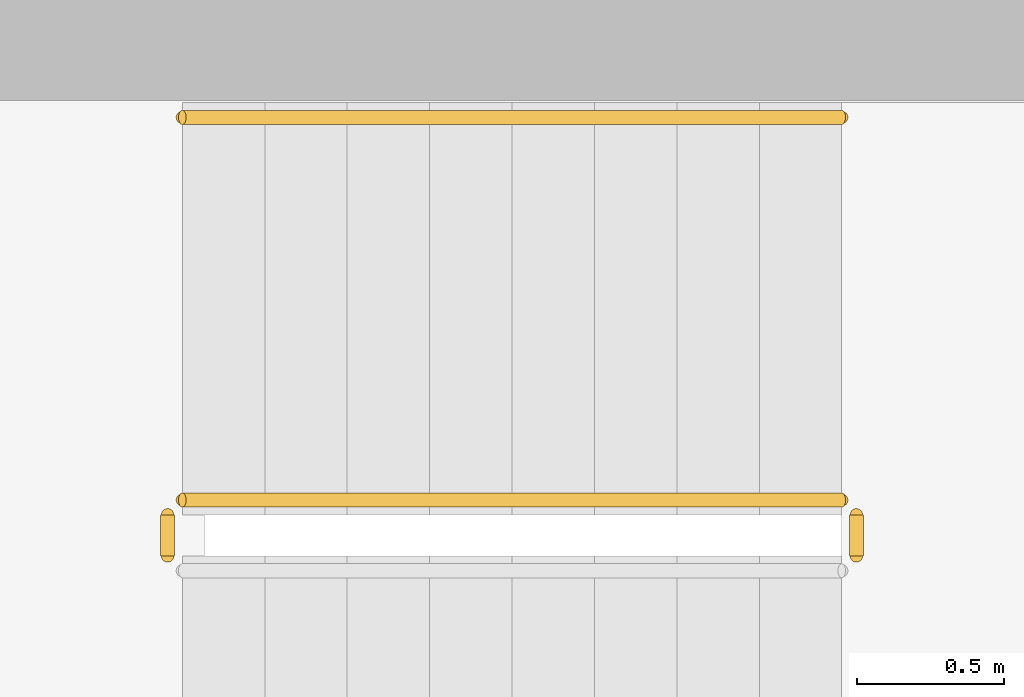
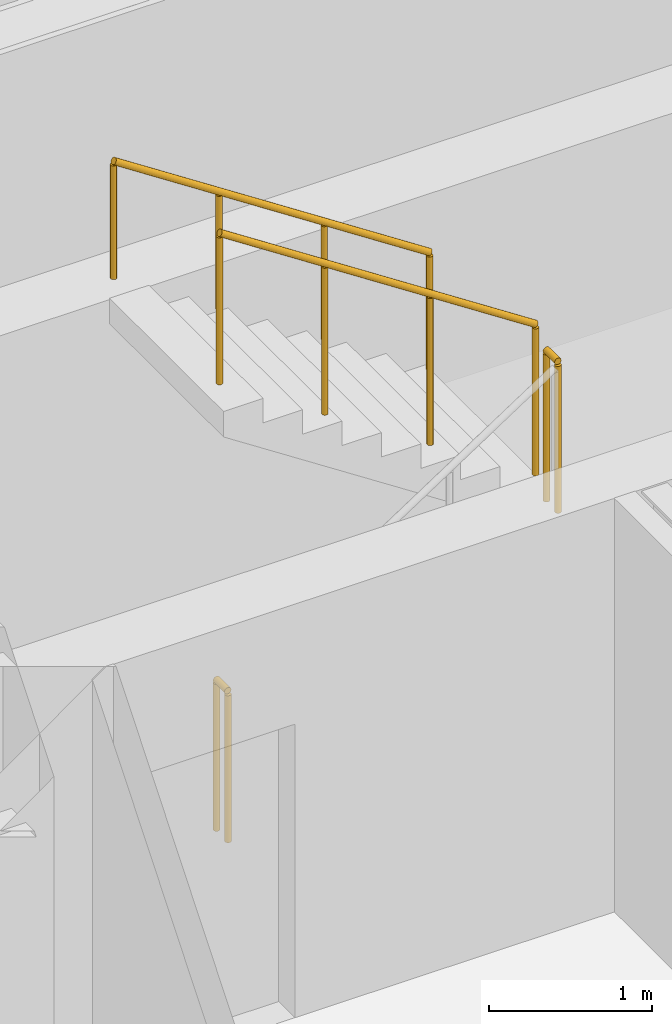
# One storey, part 14 of 15: 4 railings.
"""IFC4 building model written with IfcOpenShell, lengths in metres."""

from ifc_helpers import new_model, si_unit, direction, frame, origin, origin_2d, place, context, subcontext, project, spatial, circle, extrude, material, type_object, element, save


model = new_model("IFC4")

# Units and contexts
model_context = context("Model", 3, precision=1e-05, world=origin(), true_north=direction((0.0, 1.0)))
body_context = subcontext(model_context, "Body", "Model", "MODEL_VIEW")
ifc_project = project(units=[si_unit("LENGTHUNIT", "METRE"), si_unit("AREAUNIT", "SQUARE_METRE"), si_unit("VOLUMEUNIT", "CUBIC_METRE"), si_unit("PLANEANGLEUNIT", "RADIAN"), si_unit("MASSUNIT", "GRAM", prefix="KILO")], contexts=[model_context])

# Site, building, storey
site_placement = place(None, origin())
site = spatial("IfcSite", under=ifc_project, at=site_placement, CompositionType="ELEMENT")
building_placement = place(site_placement, origin())
building = spatial("IfcBuilding", under=site, at=building_placement, Name="Mirazonda Arch Towers", CompositionType="ELEMENT")
storey_placement = place(building_placement, frame((0.0, 0.0, 229.300048828125)))
storey = spatial("IfcBuildingStorey", under=building, at=storey_placement, Name="L65", CompositionType="ELEMENT", Elevation=229.300048828125)

# Railings
ifc_material = material(Name="Architectural Brushed Steel S355", Category="steel")
railing_type_1 = type_object("IfcRailingType", Name="GUARD-STAIR-1120", PredefinedType="GUARDRAIL", material=ifc_material)
railing_1_placement = place(storey_placement, frame((16.139892578125, 39.219970703125, 1.64990234375)))
element("IfcRailing", 1, at=railing_1_placement, inside=storey, type_object=railing_type_1, Name="L65 ST-T1N stair guard 2", PredefinedType="GUARDRAIL", context=body_context, shape_type="SweptSolid", body=[
    extrude(circle(Radius=0.02392578125, at=origin_2d()), frame((0.0, 0.0, 1.1259765625), z_axis=(0.0, 1.0, 0.0), x_axis=(-1.0, 0.0, 0.0)), (0.0, 0.0, 1.0), 0.14013671875),
    extrude(circle(Radius=0.02099609375, at=origin_2d()), origin(), (0.0, 0.0, 1.0), 1.101806640625),
    extrude(circle(Radius=0.02099609375, at=origin_2d()), frame((0.0, 0.14013671875, 0.0)), (0.0, 0.0, 1.0), 1.101806640625),
])
railing_2_placement = place(storey_placement, frame((16.090087890625, 39.409912109375, 1.833251953125)))
element("IfcRailing", 2, at=railing_2_placement, inside=storey, type_object=railing_type_1, Name="L65 ST-T1N stair guard 3", PredefinedType="GUARDRAIL", context=body_context, shape_type="SweptSolid", body=[
    extrude(circle(Radius=0.02392578125, at=origin_2d()), frame((0.0, 0.0, 1.1259765625), z_axis=(-0.836595146698, 0.0, 0.547821650285), x_axis=(0.0, -1.0, 0.0)), (0.0, 0.0, 1.0), 2.677490234375),
    extrude(circle(Radius=0.02099609375, at=origin_2d()), origin(), (0.0, 0.0, 1.0), 1.101806640625),
    extrude(circle(Radius=0.02099609375, at=origin_2d()), frame((-0.74658203125, 0.0, 0.489013671875)), (0.0, 0.0, 1.0), 1.101806640625),
    extrude(circle(Radius=0.02099609375, at=origin_2d()), frame((-1.493408203125, 0.0, 0.977783203125)), (0.0, 0.0, 1.0), 1.101806640625),
    extrude(circle(Radius=0.02099609375, at=origin_2d()), frame((-2.239990234375, 0.0, 1.466796875)), (0.0, 0.0, 1.0), 1.101806640625),
])
railing_3_placement = place(storey_placement, frame((13.800048828125, 39.219970703125, 0.0)))
element("IfcRailing", 3, at=railing_3_placement, inside=storey, type_object=railing_type_1, Name="L65 ST-T1N stair guard 4", PredefinedType="GUARDRAIL", context=body_context, shape_type="SweptSolid", body=[
    extrude(circle(Radius=0.02392578125, at=origin_2d()), frame((0.0, 0.0, 1.1259765625), z_axis=(0.0, 1.0, 0.0), x_axis=(-1.0, 0.0, 0.0)), (0.0, 0.0, 1.0), 0.14013671875),
    extrude(circle(Radius=0.02099609375, at=origin_2d()), origin(), (0.0, 0.0, 1.0), 1.101806640625),
    extrude(circle(Radius=0.02099609375, at=origin_2d()), frame((0.0, 0.14013671875, 0.0)), (0.0, 0.0, 1.0), 1.101806640625),
])
railing_type_2 = type_object("IfcRailingType", Name="HANDRAIL-915", PredefinedType="HANDRAIL", material=ifc_material)
railing_4_placement = place(storey_placement, frame((16.090087890625, 40.7099609375, 1.833251953125)))
element("IfcRailing", 4, at=railing_4_placement, inside=storey, type_object=railing_type_2, Name="L65 ST-T1N stair handrail 2", PredefinedType="HANDRAIL", context=body_context, shape_type="SweptSolid", body=[
    extrude(circle(Radius=0.02392578125, at=origin_2d()), frame((0.0, 0.0, 0.8759765625), z_axis=(-0.836595146698, 0.0, 0.547821650285), x_axis=(0.0, -1.0, 0.0)), (0.0, 0.0, 1.0), 2.677490234375),
    extrude(circle(Radius=0.02099609375, at=origin_2d()), origin(), (0.0, 0.0, 1.0), 0.851806640625),
    extrude(circle(Radius=0.02099609375, at=origin_2d()), frame((-0.74658203125, 0.0, 0.489013671875)), (0.0, 0.0, 1.0), 0.851806640625),
    extrude(circle(Radius=0.02099609375, at=origin_2d()), frame((-1.493408203125, 0.0, 0.977783203125)), (0.0, 0.0, 1.0), 0.851806640625),
    extrude(circle(Radius=0.02099609375, at=origin_2d()), frame((-2.239990234375, 0.0, 1.466796875)), (0.0, 0.0, 1.0), 0.851806640625),
])

save(model, "model.ifc")
